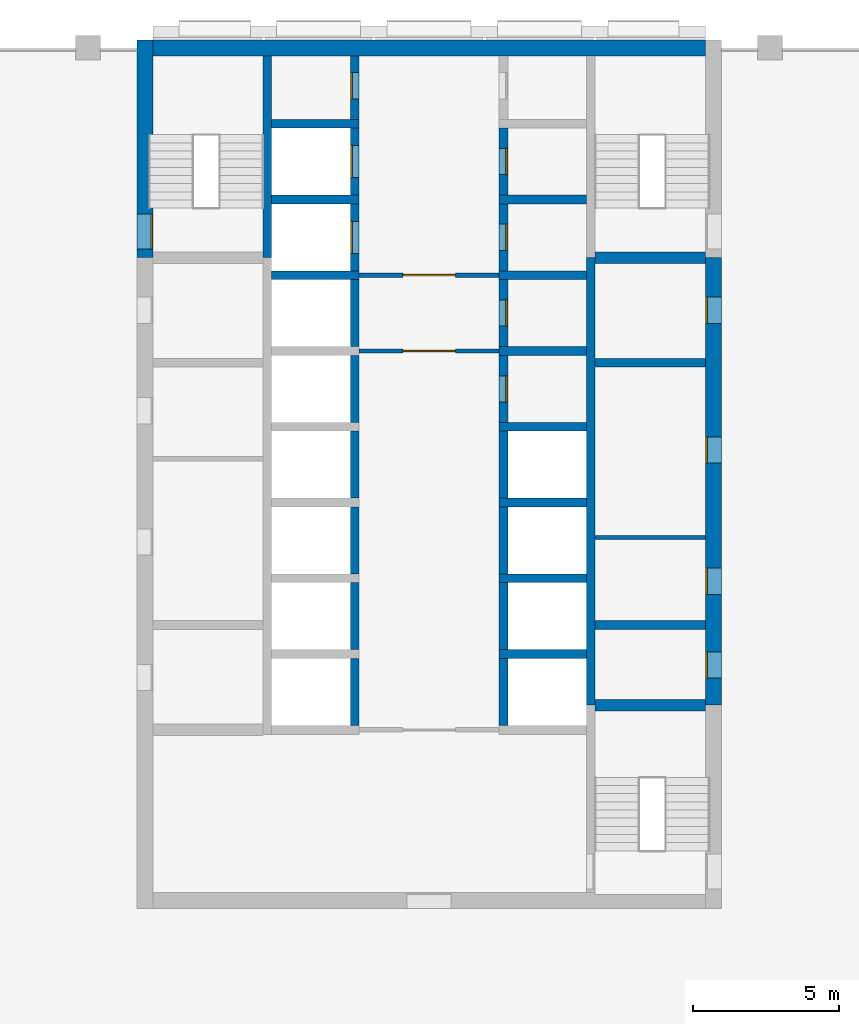
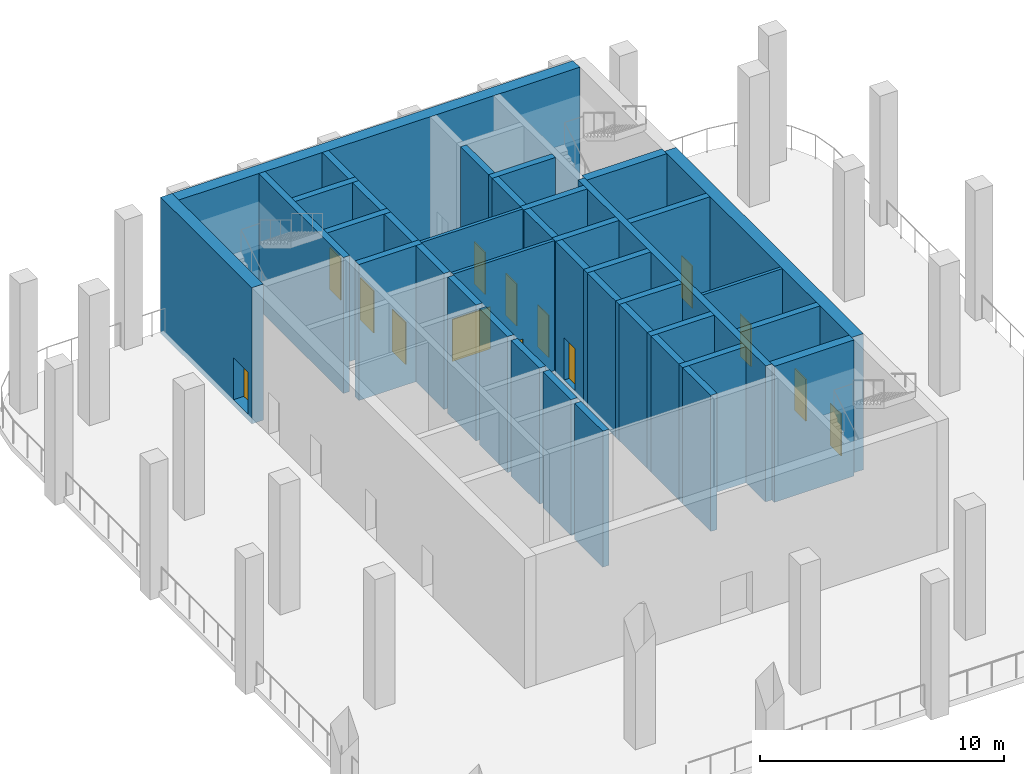
# One storey, part 2 of 10: 39 walls, 14 doors, 14 openings.
"""IFC4 building model written with IfcOpenShell, lengths in metres."""

from ifc_helpers import new_model, si_unit, direction, frame, frame_2d, origin, place, context, subcontext, project, spatial, rectangle, extrude, material, layer, layer_set, type_object, element, fill, save


model = new_model("IFC4")

# Units and contexts
model_context = context("Model", 3, precision=1e-05, world=origin(), true_north=direction((0.0, 1.0)))
body_context = subcontext(model_context, "Body", "Model", "MODEL_VIEW")
ifc_project = project(units=[si_unit("LENGTHUNIT", "METRE"), si_unit("AREAUNIT", "SQUARE_METRE"), si_unit("VOLUMEUNIT", "CUBIC_METRE"), si_unit("PLANEANGLEUNIT", "RADIAN"), si_unit("MASSUNIT", "GRAM", prefix="KILO")], contexts=[model_context])

# Site, building, storey
site_placement = place(None, origin())
site = spatial("IfcSite", under=ifc_project, at=site_placement, CompositionType="ELEMENT")
building_placement = place(site_placement, origin())
building = spatial("IfcBuilding", under=site, at=building_placement, Name="Ludao Terraces", CompositionType="ELEMENT")
storey_placement = place(building_placement, frame((0.0, 0.0, 116.89990234375)))
storey = spatial("IfcBuildingStorey", under=building, at=storey_placement, Name="L32", CompositionType="ELEMENT", Elevation=116.89990234375)

# Wall, opening, door
ifc_material_1 = material(Name="Concrete C60", Category="concrete")
ifc_layer_1 = layer(ifc_material_1, 0.550048828125)
ifc_layer_set_1 = layer_set([ifc_layer_1], Name="Core wall 550 C60")
wall_type_1 = type_object("IfcWallType", Name="Core wall 550 C60", PredefinedType="SOLIDWALL", material=ifc_layer_set_1)
wall_1_placement = place(storey_placement, frame((75.25, 77.300048828125, -0.2998046875), z_axis=(0.0, 0.0, 1.0), x_axis=(0.0, 1.0, 0.0)))
wall_1 = element("IfcWall", 1, at=wall_1_placement, inside=storey, type_object=wall_type_1, Name="Core wall L32 outer-W-S1", PredefinedType="SOLIDWALL", context=body_context, shape_type="SweptSolid", body=[
    extrude(rectangle(XDim=7.474853515625, YDim=0.550048828125, at=frame_2d((3.7373046875, 0.0))), origin(), (0.0, 0.0, 1.0), 6.7998046875),
])
opening_1_placement = place(wall_1_placement, frame((0.300048828125, 0.0, 0.300048828125)))
opening_1 = element("IfcOpeningElement", 2, at=opening_1_placement, cuts=wall_1, Name="Opening L32-019", PredefinedType="OPENING", context=body_context, shape_type="SweptSolid", body=[
    extrude(rectangle(XDim=1.199951171875, YDim=2.10009765625, at=frame_2d((0.60009765625, 1.050048828125))), frame((0.0, 0.28515625, 0.0), z_axis=(0.0, -1.0, 0.0), x_axis=(1.0, 0.0, 0.0)), (0.0, 0.0, 1.0), 0.570068359375),
])
ifc_material_2 = material(Name="Steel Q235", Category="steel")
door_type_1 = type_object("IfcDoorType", Name="INT Stair door 1200", OperationType="DOUBLE_DOOR_SINGLE_SWING", PredefinedType="DOOR", material=ifc_material_2)
door_1_placement = place(opening_1_placement, origin())
door_1 = element("IfcDoor", 3, at=door_1_placement, inside=storey, type_object=door_type_1, Name="DOOR 019", OperationType="DOUBLE_DOOR_SINGLE_SWING", OverallHeight=2.10009765625, OverallWidth=1.199951171875, PredefinedType="DOOR", context=body_context, shape_type="SweptSolid", body=[
    extrude(rectangle(XDim=1.199951171875, YDim=2.10009765625, at=frame_2d((0.60009765625, 1.050048828125))), frame((0.0, -0.2099609375, 0.0), z_axis=(0.0, -1.0, 0.0), x_axis=(1.0, 0.0, 0.0)), (0.0, 0.0, 1.0), 0.050048828125),
])
fill(opening_1, door_1)

# Wall, openings, doors
wall_2_placement = place(storey_placement, frame((94.75, 61.949951171875, -0.2998046875), z_axis=(0.0, 0.0, 1.0), x_axis=(0.0, 1.0, 0.0)))
wall_2 = element("IfcWall", 4, at=wall_2_placement, inside=storey, type_object=wall_type_1, Name="Core wall L32 outer-E", PredefinedType="SOLIDWALL", context=body_context, shape_type="SweptSolid", body=[
    extrude(rectangle(XDim=15.35009765625, YDim=0.550048828125, at=frame_2d((7.675048828125, 0.0))), origin(), (0.0, 0.0, 1.0), 6.7998046875),
])
opening_2_placement = place(wall_2_placement, frame((0.925048828125, 0.0, 0.300048828125)))
opening_2 = element("IfcOpeningElement", 5, at=opening_2_placement, cuts=wall_2, Name="Opening L32-006", PredefinedType="OPENING", context=body_context, shape_type="SweptSolid", body=[
    extrude(rectangle(XDim=0.89990234375, YDim=2.10009765625, at=frame_2d((0.449951171875, 1.050048828125))), frame((0.0, 0.28515625, 0.0), z_axis=(0.0, -1.0, 0.0), x_axis=(1.0, 0.0, 0.0)), (0.0, 0.0, 1.0), 0.570068359375),
])
opening_3_placement = place(wall_2_placement, frame((3.800048828125, 0.0, 0.300048828125)))
opening_3 = element("IfcOpeningElement", 6, at=opening_3_placement, cuts=wall_2, Name="Opening L32-007", PredefinedType="OPENING", context=body_context, shape_type="SweptSolid", body=[
    extrude(rectangle(XDim=0.89990234375, YDim=2.10009765625, at=frame_2d((0.449951171875, 1.050048828125))), frame((0.0, 0.28515625, 0.0), z_axis=(0.0, -1.0, 0.0), x_axis=(1.0, 0.0, 0.0)), (0.0, 0.0, 1.0), 0.570068359375),
])
opening_4_placement = place(wall_2_placement, frame((8.300048828125, 0.0, 0.300048828125)))
opening_4 = element("IfcOpeningElement", 7, at=opening_4_placement, cuts=wall_2, Name="Opening L32-009", PredefinedType="OPENING", context=body_context, shape_type="SweptSolid", body=[
    extrude(rectangle(XDim=0.89990234375, YDim=2.10009765625, at=frame_2d((0.449951171875, 1.050048828125))), frame((0.0, 0.28515625, 0.0), z_axis=(0.0, -1.0, 0.0), x_axis=(1.0, 0.0, 0.0)), (0.0, 0.0, 1.0), 0.570068359375),
])
opening_5_placement = place(wall_2_placement, frame((13.10009765625, 0.0, 0.300048828125)))
opening_5 = element("IfcOpeningElement", 8, at=opening_5_placement, cuts=wall_2, Name="Opening L32-015", PredefinedType="OPENING", context=body_context, shape_type="SweptSolid", body=[
    extrude(rectangle(XDim=0.89990234375, YDim=2.10009765625, at=frame_2d((0.449951171875, 1.050048828125))), frame((0.0, 0.28515625, 0.0), z_axis=(0.0, -1.0, 0.0), x_axis=(1.0, 0.0, 0.0)), (0.0, 0.0, 1.0), 0.570068359375),
])
door_type_2 = type_object("IfcDoorType", Name="INT Riser door 900", OperationType="SINGLE_SWING_LEFT", PredefinedType="DOOR", material=ifc_material_2)
door_2_placement = place(opening_2_placement, origin())
door_2 = element("IfcDoor", 9, at=door_2_placement, inside=storey, type_object=door_type_2, Name="DOOR 006", OperationType="SINGLE_SWING_LEFT", OverallHeight=2.10009765625, OverallWidth=0.89990234375, PredefinedType="DOOR", context=body_context, shape_type="SweptSolid", body=[
    extrude(rectangle(XDim=0.89990234375, YDim=2.10009765625, at=frame_2d((0.449951171875, 1.050048828125))), frame((0.0, 0.26025390625, 0.0), z_axis=(0.0, -1.0, 0.0), x_axis=(1.0, 0.0, 0.0)), (0.0, 0.0, 1.0), 0.050048828125),
])
fill(opening_2, door_2)
door_3_placement = place(opening_5_placement, origin())
door_3 = element("IfcDoor", 10, at=door_3_placement, inside=storey, type_object=door_type_2, Name="DOOR 015", OperationType="SINGLE_SWING_LEFT", OverallHeight=2.10009765625, OverallWidth=0.89990234375, PredefinedType="DOOR", context=body_context, shape_type="SweptSolid", body=[
    extrude(rectangle(XDim=0.89990234375, YDim=2.10009765625, at=frame_2d((0.449951171875, 1.050048828125))), frame((0.0, 0.26025390625, 0.0), z_axis=(0.0, -1.0, 0.0), x_axis=(1.0, 0.0, 0.0)), (0.0, 0.0, 1.0), 0.050048828125),
])
fill(opening_5, door_3)
ifc_material_3 = material(Name="Timber door leaf", Category="wood")
door_type_3 = type_object("IfcDoorType", Name="INT Room door 900", OperationType="SINGLE_SWING_LEFT", PredefinedType="DOOR", material=ifc_material_3)
door_4_placement = place(opening_3_placement, origin())
door_4 = element("IfcDoor", 11, at=door_4_placement, inside=storey, type_object=door_type_3, Name="DOOR 007", OperationType="SINGLE_SWING_LEFT", OverallHeight=2.10009765625, OverallWidth=0.89990234375, PredefinedType="DOOR", context=body_context, shape_type="SweptSolid", body=[
    extrude(rectangle(XDim=0.89990234375, YDim=2.10009765625, at=frame_2d((0.449951171875, 1.050048828125))), frame((0.0, 0.26025390625, 0.0), z_axis=(0.0, -1.0, 0.0), x_axis=(1.0, 0.0, 0.0)), (0.0, 0.0, 1.0), 0.050048828125),
])
fill(opening_3, door_4)
door_5_placement = place(opening_4_placement, origin())
door_5 = element("IfcDoor", 12, at=door_5_placement, inside=storey, type_object=door_type_3, Name="DOOR 009", OperationType="SINGLE_SWING_RIGHT", OverallHeight=2.10009765625, OverallWidth=0.89990234375, PredefinedType="DOOR", context=body_context, shape_type="SweptSolid", body=[
    extrude(rectangle(XDim=0.89990234375, YDim=2.10009765625, at=frame_2d((0.449951171875, 1.050048828125))), frame((0.0, 0.26025390625, 0.0), z_axis=(0.0, -1.0, 0.0), x_axis=(1.0, 0.0, 0.0)), (0.0, 0.0, 1.0), 0.050048828125),
])
fill(opening_4, door_5)

# Walls
wall_3_placement = place(storey_placement, frame((75.52490234375, 84.5, -0.2998046875), z_axis=(0.0, 0.0, 1.0), x_axis=(1.0, 0.0, 0.0)))
element("IfcWall", 13, at=wall_3_placement, inside=storey, type_object=wall_type_1, Name="Core wall L32 outer-N", PredefinedType="SOLIDWALL", context=body_context, shape_type="SweptSolid", body=[
    extrude(rectangle(XDim=18.9501953125, YDim=0.550048828125, at=frame_2d((9.47509765625, 0.0))), origin(), (0.0, 0.0, 1.0), 6.7998046875),
])
ifc_material_4 = material(Name="Fire-rated gypsum plasterboard", Category="gypsum")
ifc_layer_2 = layer(ifc_material_4, 0.012451171875, Category="gypsum")
ifc_material_5 = material(Name="Mineral wool")
ifc_layer_3 = layer(ifc_material_5, 0.10009765625, Name="insulation")
ifc_layer_4 = layer(ifc_material_2, 0.02490234375, Name="stud")
ifc_layer_5 = layer(ifc_material_4, 0.012451171875, Category="gypsum")
ifc_layer_set_2 = layer_set([ifc_layer_2, ifc_layer_3, ifc_layer_4, ifc_layer_5], Name="INT Core partition 150")
wall_type_2 = type_object("IfcWallType", Name="INT Core partition 150", PredefinedType="PARTITIONING", material=ifc_layer_set_2)
wall_4_placement = place(storey_placement, frame((90.7001953125, 67.699951171875, 0.0), z_axis=(0.0, 0.0, 1.0), x_axis=(1.0, 0.0, 0.0)))
element("IfcWall", 14, at=wall_4_placement, inside=storey, type_object=wall_type_2, Name="PW-L32-PW001", PredefinedType="PARTITIONING", context=body_context, shape_type="SweptSolid", body=[
    extrude(rectangle(XDim=3.77490234375, YDim=0.14990234375, at=frame_2d((1.887451171875, 0.0))), origin(), (0.0, 0.0, 1.0), 6.5),
])

# Wall, opening, door
wall_5_placement = place(storey_placement, frame((82.60009765625, 74.10009765625, 0.0), z_axis=(0.0, 0.0, 1.0), x_axis=(1.0, 0.0, 0.0)))
wall_5 = element("IfcWall", 15, at=wall_5_placement, inside=storey, type_object=wall_type_2, Name="PW-L32-PW003", PredefinedType="PARTITIONING", context=body_context, shape_type="SweptSolid", body=[
    extrude(rectangle(XDim=4.800048828125, YDim=0.14990234375, at=frame_2d((2.39990234375, 0.0))), origin(), (0.0, 0.0, 1.0), 6.5),
])
opening_6_placement = place(wall_5_placement, frame((1.5, 0.0, 0.0)))
opening_6 = element("IfcOpeningElement", 16, at=opening_6_placement, cuts=wall_5, Name="Opening L32-012", PredefinedType="OPENING", context=body_context, shape_type="SweptSolid", body=[
    extrude(rectangle(XDim=1.800048828125, YDim=2.10009765625, at=frame_2d((0.89990234375, 1.050048828125))), frame((0.0, 0.0849609375, 0.0), z_axis=(0.0, -1.0, 0.0), x_axis=(1.0, 0.0, 0.0)), (0.0, 0.0, 1.0), 0.169921875),
])
door_type_4 = type_object("IfcDoorType", Name="INT Fire lobby door 1800", OperationType="DOUBLE_DOOR_SINGLE_SWING", PredefinedType="DOOR", material=ifc_material_2)
door_6_placement = place(opening_6_placement, origin())
door_6 = element("IfcDoor", 17, at=door_6_placement, inside=storey, type_object=door_type_4, Name="DOOR 012", OperationType="DOUBLE_DOOR_SINGLE_SWING", OverallHeight=2.10009765625, OverallWidth=1.800048828125, PredefinedType="DOOR", context=body_context, shape_type="SweptSolid", body=[
    extrude(rectangle(XDim=1.800048828125, YDim=2.10009765625, at=frame_2d((0.89990234375, 1.050048828125))), frame((0.0, 0.02490234375, 0.0), z_axis=(0.0, -1.0, 0.0), x_axis=(1.0, 0.0, 0.0)), (0.0, 0.0, 1.0), 0.050048828125),
])
fill(opening_6, door_6)

wall_6_placement = place(storey_placement, frame((82.60009765625, 76.699951171875, 0.0), z_axis=(0.0, 0.0, 1.0), x_axis=(1.0, 0.0, 0.0)))
wall_6 = element("IfcWall", 18, at=wall_6_placement, inside=storey, type_object=wall_type_2, Name="PW-L32-PW004", PredefinedType="PARTITIONING", context=body_context, shape_type="SweptSolid", body=[
    extrude(rectangle(XDim=4.800048828125, YDim=0.14990234375, at=frame_2d((2.39990234375, 0.0))), origin(), (0.0, 0.0, 1.0), 6.5),
])
opening_7_placement = place(wall_6_placement, frame((1.5, 0.0, 0.0)))
opening_7 = element("IfcOpeningElement", 19, at=opening_7_placement, cuts=wall_6, Name="Opening L32-016", PredefinedType="OPENING", context=body_context, shape_type="SweptSolid", body=[
    extrude(rectangle(XDim=1.800048828125, YDim=2.10009765625, at=frame_2d((0.89990234375, 1.050048828125))), frame((0.0, 0.0849609375, 0.0), z_axis=(0.0, -1.0, 0.0), x_axis=(1.0, 0.0, 0.0)), (0.0, 0.0, 1.0), 0.169921875),
])
door_7_placement = place(opening_7_placement, origin())
door_7 = element("IfcDoor", 20, at=door_7_placement, inside=storey, type_object=door_type_4, Name="DOOR 016", OperationType="DOUBLE_DOOR_SINGLE_SWING", OverallHeight=2.10009765625, OverallWidth=1.800048828125, PredefinedType="DOOR", context=body_context, shape_type="SweptSolid", body=[
    extrude(rectangle(XDim=1.800048828125, YDim=2.10009765625, at=frame_2d((0.89990234375, 1.050048828125))), frame((0.0, 0.02490234375, 0.0), z_axis=(0.0, -1.0, 0.0), x_axis=(1.0, 0.0, 0.0)), (0.0, 0.0, 1.0), 0.050048828125),
])
fill(opening_7, door_7)

# Walls
ifc_material_6 = material(Name="Concrete C55", Category="concrete")
ifc_layer_6 = layer(ifc_material_6, 0.300048828125)
ifc_layer_set_3 = layer_set([ifc_layer_6], Name="Shaft wall 300 C55")
wall_type_3 = type_object("IfcWallType", Name="Shaft wall 300 C55", PredefinedType="SOLIDWALL", material=ifc_layer_set_3)
wall_7_placement = place(storey_placement, frame((79.449951171875, 77.300048828125, -0.2998046875), z_axis=(0.0, 0.0, 1.0), x_axis=(0.0, 1.0, 0.0)))
element("IfcWall", 21, at=wall_7_placement, inside=storey, type_object=wall_type_3, Name="Core wall L32 back-W-S1", PredefinedType="SOLIDWALL", context=body_context, shape_type="SweptSolid", body=[
    extrude(rectangle(XDim=6.925048828125, YDim=0.300048828125, at=frame_2d((3.46240234375, 0.0))), origin(), (0.0, 0.0, 1.0), 6.7998046875),
])
wall_8_placement = place(storey_placement, frame((90.550048828125, 61.949951171875, -0.2998046875), z_axis=(0.0, 0.0, 1.0), x_axis=(0.0, 1.0, 0.0)))
element("IfcWall", 22, at=wall_8_placement, inside=storey, type_object=wall_type_3, Name="Core wall L32 back-E", PredefinedType="SOLIDWALL", context=body_context, shape_type="SweptSolid", body=[
    extrude(rectangle(XDim=15.35009765625, YDim=0.300048828125, at=frame_2d((7.675048828125, 0.0))), origin(), (0.0, 0.0, 1.0), 6.7998046875),
])
wall_9_placement = place(storey_placement, frame((82.449951171875, 61.25, -0.2998046875), z_axis=(0.0, 0.0, 1.0), x_axis=(0.0, 1.0, 0.0)))
element("IfcWall", 23, at=wall_9_placement, inside=storey, type_object=wall_type_3, Name="Core wall L32 front-W1", PredefinedType="SOLIDWALL", context=body_context, shape_type="SweptSolid", body=[
    extrude(rectangle(XDim=2.300048828125, YDim=0.300048828125, at=frame_2d((1.14990234375, 0.0))), origin(), (0.0, 0.0, 1.0), 6.7998046875),
])
wall_10_placement = place(storey_placement, frame((82.449951171875, 63.85009765625, -0.2998046875), z_axis=(0.0, 0.0, 1.0), x_axis=(0.0, 1.0, 0.0)))
element("IfcWall", 24, at=wall_10_placement, inside=storey, type_object=wall_type_3, Name="Core wall L32 front-W2", PredefinedType="SOLIDWALL", context=body_context, shape_type="SweptSolid", body=[
    extrude(rectangle(XDim=2.2998046875, YDim=0.300048828125, at=frame_2d((1.14990234375, 0.0))), origin(), (0.0, 0.0, 1.0), 6.7998046875),
])
for number, where, z_axis, x_axis, name in (
    (25, (82.449951171875, 66.449951171875, -0.2998046875), (0.0, 0.0, 1.0), (0.0, 1.0, 0.0), "Core wall L32 front-W3"),
    (26, (82.449951171875, 69.050048828125, -0.2998046875), (0.0, 0.0, 1.0), (0.0, 1.0, 0.0), "Core wall L32 front-W4"),
    (27, (82.449951171875, 71.64990234375, -0.2998046875), (0.0, 0.0, 1.0), (0.0, 1.0, 0.0), "Core wall L32 front-W5"),
    (28, (82.449951171875, 74.25, -0.2998046875), (0.0, 0.0, 1.0), (0.0, 1.0, 0.0), "Core wall L32 front-W6"),
):
    element("IfcWall", number, at=place(storey_placement, frame(where, z_axis=z_axis, x_axis=x_axis)), inside=storey, type_object=wall_type_3, Name=name, PredefinedType="SOLIDWALL", context=body_context, shape_type="SweptSolid", body=[
        extrude(rectangle(XDim=2.300048828125, YDim=0.300048828125, at=frame_2d((1.14990234375, 0.0))), origin(), (0.0, 0.0, 1.0), 6.7998046875),
    ])
wall_11_placement = place(storey_placement, frame((79.60009765625, 76.699951171875, -0.2998046875), z_axis=(0.0, 0.0, 1.0), x_axis=(1.0, 0.0, 0.0)))
element("IfcWall", 29, at=wall_11_placement, inside=storey, type_object=wall_type_3, Name="Core wall L32 div-W7", PredefinedType="SOLIDWALL", context=body_context, shape_type="SweptSolid", body=[
    extrude(rectangle(XDim=3.0, YDim=0.300048828125, at=frame_2d((1.5, 0.0))), origin(), (0.0, 0.0, 1.0), 6.7998046875),
])

# Wall, opening, door
wall_12_placement = place(storey_placement, frame((82.449951171875, 76.85009765625, -0.2998046875), z_axis=(0.0, 0.0, 1.0), x_axis=(0.0, 1.0, 0.0)))
wall_12 = element("IfcWall", 30, at=wall_12_placement, inside=storey, type_object=wall_type_3, Name="Core wall L32 front-W7", PredefinedType="SOLIDWALL", context=body_context, shape_type="SweptSolid", body=[
    extrude(rectangle(XDim=2.2998046875, YDim=0.300048828125, at=frame_2d((1.14990234375, 0.0))), origin(), (0.0, 0.0, 1.0), 6.7998046875),
])
opening_8_placement = place(wall_12_placement, frame((0.60009765625, 0.0, 0.300048828125)))
opening_8 = element("IfcOpeningElement", 31, at=opening_8_placement, cuts=wall_12, Name="Opening LD-FF1", PredefinedType="OPENING", context=body_context, shape_type="SweptSolid", body=[
    extrude(rectangle(XDim=1.10009765625, YDim=2.10009765625, at=frame_2d((0.550048828125, 1.050048828125))), frame((0.0, 0.16015625, 0.0), z_axis=(0.0, -1.0, 0.0), x_axis=(1.0, 0.0, 0.0)), (0.0, 0.0, 1.0), 0.320068359375),
])
ifc_material_7 = material(Name="Stainless steel 304", Category="steel")
door_type_5 = type_object("IfcDoorType", Name="INT Lift landing door 1100", OperationType="SLIDING_TO_LEFT", PredefinedType="DOOR", material=ifc_material_7)
door_8_placement = place(opening_8_placement, origin())
door_8 = element("IfcDoor", 32, at=door_8_placement, inside=storey, type_object=door_type_5, Name="LANDING DOOR FF1 L32", OperationType="SLIDING_TO_LEFT", OverallHeight=2.10009765625, OverallWidth=1.10009765625, PredefinedType="DOOR", context=body_context, shape_type="SweptSolid", body=[
    extrude(rectangle(XDim=1.10009765625, YDim=2.10009765625, at=frame_2d((0.550048828125, 1.050048828125))), frame((0.0, 0.13525390625, 0.0), z_axis=(0.0, -1.0, 0.0), x_axis=(1.0, 0.0, 0.0)), (0.0, 0.0, 1.0), 0.050048828125),
])
fill(opening_8, door_8)

# Wall
wall_13_placement = place(storey_placement, frame((79.60009765625, 79.300048828125, -0.2998046875), z_axis=(0.0, 0.0, 1.0), x_axis=(1.0, 0.0, 0.0)))
element("IfcWall", 33, at=wall_13_placement, inside=storey, type_object=wall_type_3, Name="Core wall L32 div-W8", PredefinedType="SOLIDWALL", context=body_context, shape_type="SweptSolid", body=[
    extrude(rectangle(XDim=3.0, YDim=0.300048828125, at=frame_2d((1.5, 0.0))), origin(), (0.0, 0.0, 1.0), 6.7998046875),
])

# Wall, opening, door
wall_14_placement = place(storey_placement, frame((82.449951171875, 79.449951171875, -0.2998046875), z_axis=(0.0, 0.0, 1.0), x_axis=(0.0, 1.0, 0.0)))
wall_14 = element("IfcWall", 34, at=wall_14_placement, inside=storey, type_object=wall_type_3, Name="Core wall L32 front-W8", PredefinedType="SOLIDWALL", context=body_context, shape_type="SweptSolid", body=[
    extrude(rectangle(XDim=2.300048828125, YDim=0.300048828125, at=frame_2d((1.14990234375, 0.0))), origin(), (0.0, 0.0, 1.0), 6.7998046875),
])
opening_9_placement = place(wall_14_placement, frame((0.60009765625, 0.0, 0.300048828125)))
opening_9 = element("IfcOpeningElement", 35, at=opening_9_placement, cuts=wall_14, Name="Opening LD-FF2", PredefinedType="OPENING", context=body_context, shape_type="SweptSolid", body=[
    extrude(rectangle(XDim=1.10009765625, YDim=2.10009765625, at=frame_2d((0.550048828125, 1.050048828125))), frame((0.0, 0.16015625, 0.0), z_axis=(0.0, -1.0, 0.0), x_axis=(1.0, 0.0, 0.0)), (0.0, 0.0, 1.0), 0.320068359375),
])
door_9_placement = place(opening_9_placement, origin())
door_9 = element("IfcDoor", 36, at=door_9_placement, inside=storey, type_object=door_type_5, Name="LANDING DOOR FF2 L32", OperationType="SLIDING_TO_LEFT", OverallHeight=2.10009765625, OverallWidth=1.10009765625, PredefinedType="DOOR", context=body_context, shape_type="SweptSolid", body=[
    extrude(rectangle(XDim=1.10009765625, YDim=2.10009765625, at=frame_2d((0.550048828125, 1.050048828125))), frame((0.0, 0.13525390625, 0.0), z_axis=(0.0, -1.0, 0.0), x_axis=(1.0, 0.0, 0.0)), (0.0, 0.0, 1.0), 0.050048828125),
])
fill(opening_9, door_9)

# Wall
wall_15_placement = place(storey_placement, frame((79.60009765625, 81.89990234375, -0.2998046875), z_axis=(0.0, 0.0, 1.0), x_axis=(1.0, 0.0, 0.0)))
element("IfcWall", 37, at=wall_15_placement, inside=storey, type_object=wall_type_3, Name="Core wall L32 div-W9", PredefinedType="SOLIDWALL", context=body_context, shape_type="SweptSolid", body=[
    extrude(rectangle(XDim=3.0, YDim=0.300048828125, at=frame_2d((1.5, 0.0))), origin(), (0.0, 0.0, 1.0), 6.7998046875),
])

# Wall, opening, door
wall_16_placement = place(storey_placement, frame((82.449951171875, 82.050048828125, -0.2998046875), z_axis=(0.0, 0.0, 1.0), x_axis=(0.0, 1.0, 0.0)))
wall_16 = element("IfcWall", 38, at=wall_16_placement, inside=storey, type_object=wall_type_3, Name="Core wall L32 front-W9", PredefinedType="SOLIDWALL", context=body_context, shape_type="SweptSolid", body=[
    extrude(rectangle(XDim=2.175048828125, YDim=0.300048828125, at=frame_2d((1.08740234375, 0.0))), origin(), (0.0, 0.0, 1.0), 6.7998046875),
])
opening_10_placement = place(wall_16_placement, frame((0.699951171875, 0.0, 0.300048828125)))
opening_10 = element("IfcOpeningElement", 39, at=opening_10_placement, cuts=wall_16, Name="Opening L32-023", PredefinedType="OPENING", context=body_context, shape_type="SweptSolid", body=[
    extrude(rectangle(XDim=0.89990234375, YDim=2.10009765625, at=frame_2d((0.449951171875, 1.050048828125))), frame((0.0, 0.16015625, 0.0), z_axis=(0.0, -1.0, 0.0), x_axis=(1.0, 0.0, 0.0)), (0.0, 0.0, 1.0), 0.320068359375),
])
door_10_placement = place(opening_10_placement, origin())
door_10 = element("IfcDoor", 40, at=door_10_placement, inside=storey, type_object=door_type_3, Name="DOOR 023", OperationType="SINGLE_SWING_RIGHT", OverallHeight=2.10009765625, OverallWidth=0.89990234375, PredefinedType="DOOR", context=body_context, shape_type="SweptSolid", body=[
    extrude(rectangle(XDim=0.89990234375, YDim=2.10009765625, at=frame_2d((0.449951171875, 1.050048828125))), frame((0.0, 0.13525390625, 0.0), z_axis=(0.0, -1.0, 0.0), x_axis=(1.0, 0.0, 0.0)), (0.0, 0.0, 1.0), 0.050048828125),
])
fill(opening_10, door_10)

# Walls
wall_17_placement = place(storey_placement, frame((87.550048828125, 61.25, -0.2998046875), z_axis=(0.0, 0.0, 1.0), x_axis=(0.0, 1.0, 0.0)))
element("IfcWall", 41, at=wall_17_placement, inside=storey, type_object=wall_type_3, Name="Core wall L32 front-E1", PredefinedType="SOLIDWALL", context=body_context, shape_type="SweptSolid", body=[
    extrude(rectangle(XDim=2.300048828125, YDim=0.300048828125, at=frame_2d((1.14990234375, 0.0))), origin(), (0.0, 0.0, 1.0), 6.7998046875),
])
wall_18_placement = place(storey_placement, frame((87.39990234375, 63.699951171875, -0.2998046875), z_axis=(0.0, 0.0, 1.0), x_axis=(1.0, 0.0, 0.0)))
element("IfcWall", 42, at=wall_18_placement, inside=storey, type_object=wall_type_3, Name="Core wall L32 div-E2", PredefinedType="SOLIDWALL", context=body_context, shape_type="SweptSolid", body=[
    extrude(rectangle(XDim=3.0, YDim=0.300048828125, at=frame_2d((1.5, 0.0))), origin(), (0.0, 0.0, 1.0), 6.7998046875),
])
wall_19_placement = place(storey_placement, frame((87.550048828125, 63.85009765625, -0.2998046875), z_axis=(0.0, 0.0, 1.0), x_axis=(0.0, 1.0, 0.0)))
element("IfcWall", 43, at=wall_19_placement, inside=storey, type_object=wall_type_3, Name="Core wall L32 front-E2", PredefinedType="SOLIDWALL", context=body_context, shape_type="SweptSolid", body=[
    extrude(rectangle(XDim=2.2998046875, YDim=0.300048828125, at=frame_2d((1.14990234375, 0.0))), origin(), (0.0, 0.0, 1.0), 6.7998046875),
])
wall_20_placement = place(storey_placement, frame((87.39990234375, 66.300048828125, -0.2998046875), z_axis=(0.0, 0.0, 1.0), x_axis=(1.0, 0.0, 0.0)))
element("IfcWall", 44, at=wall_20_placement, inside=storey, type_object=wall_type_3, Name="Core wall L32 div-E3", PredefinedType="SOLIDWALL", context=body_context, shape_type="SweptSolid", body=[
    extrude(rectangle(XDim=3.0, YDim=0.300048828125, at=frame_2d((1.5, 0.0))), origin(), (0.0, 0.0, 1.0), 6.7998046875),
])
wall_21_placement = place(storey_placement, frame((87.550048828125, 66.449951171875, -0.2998046875), z_axis=(0.0, 0.0, 1.0), x_axis=(0.0, 1.0, 0.0)))
element("IfcWall", 45, at=wall_21_placement, inside=storey, type_object=wall_type_3, Name="Core wall L32 front-E3", PredefinedType="SOLIDWALL", context=body_context, shape_type="SweptSolid", body=[
    extrude(rectangle(XDim=2.300048828125, YDim=0.300048828125, at=frame_2d((1.14990234375, 0.0))), origin(), (0.0, 0.0, 1.0), 6.7998046875),
])
wall_22_placement = place(storey_placement, frame((87.39990234375, 68.89990234375, -0.2998046875), z_axis=(0.0, 0.0, 1.0), x_axis=(1.0, 0.0, 0.0)))
element("IfcWall", 46, at=wall_22_placement, inside=storey, type_object=wall_type_3, Name="Core wall L32 div-E4", PredefinedType="SOLIDWALL", context=body_context, shape_type="SweptSolid", body=[
    extrude(rectangle(XDim=3.0, YDim=0.300048828125, at=frame_2d((1.5, 0.0))), origin(), (0.0, 0.0, 1.0), 6.7998046875),
])
wall_23_placement = place(storey_placement, frame((87.550048828125, 69.050048828125, -0.2998046875), z_axis=(0.0, 0.0, 1.0), x_axis=(0.0, 1.0, 0.0)))
element("IfcWall", 47, at=wall_23_placement, inside=storey, type_object=wall_type_3, Name="Core wall L32 front-E4", PredefinedType="SOLIDWALL", context=body_context, shape_type="SweptSolid", body=[
    extrude(rectangle(XDim=2.300048828125, YDim=0.300048828125, at=frame_2d((1.14990234375, 0.0))), origin(), (0.0, 0.0, 1.0), 6.7998046875),
])
wall_24_placement = place(storey_placement, frame((87.39990234375, 71.5, -0.2998046875), z_axis=(0.0, 0.0, 1.0), x_axis=(1.0, 0.0, 0.0)))
element("IfcWall", 48, at=wall_24_placement, inside=storey, type_object=wall_type_3, Name="Core wall L32 div-E5", PredefinedType="SOLIDWALL", context=body_context, shape_type="SweptSolid", body=[
    extrude(rectangle(XDim=3.0, YDim=0.300048828125, at=frame_2d((1.5, 0.0))), origin(), (0.0, 0.0, 1.0), 6.7998046875),
])

# Wall, opening, door
wall_25_placement = place(storey_placement, frame((87.550048828125, 71.64990234375, -0.2998046875), z_axis=(0.0, 0.0, 1.0), x_axis=(0.0, 1.0, 0.0)))
wall_25 = element("IfcWall", 49, at=wall_25_placement, inside=storey, type_object=wall_type_3, Name="Core wall L32 front-E5", PredefinedType="SOLIDWALL", context=body_context, shape_type="SweptSolid", body=[
    extrude(rectangle(XDim=2.300048828125, YDim=0.300048828125, at=frame_2d((1.14990234375, 0.0))), origin(), (0.0, 0.0, 1.0), 6.7998046875),
])
opening_11_placement = place(wall_25_placement, frame((0.699951171875, 0.0, 0.300048828125)))
opening_11 = element("IfcOpeningElement", 50, at=opening_11_placement, cuts=wall_25, Name="Opening L32-011", PredefinedType="OPENING", context=body_context, shape_type="SweptSolid", body=[
    extrude(rectangle(XDim=0.89990234375, YDim=2.10009765625, at=frame_2d((0.449951171875, 1.050048828125))), frame((0.0, 0.16015625, 0.0), z_axis=(0.0, -1.0, 0.0), x_axis=(1.0, 0.0, 0.0)), (0.0, 0.0, 1.0), 0.320068359375),
])
door_11_placement = place(opening_11_placement, origin())
door_11 = element("IfcDoor", 51, at=door_11_placement, inside=storey, type_object=door_type_3, Name="DOOR 011", OperationType="SINGLE_SWING_RIGHT", OverallHeight=2.10009765625, OverallWidth=0.89990234375, PredefinedType="DOOR", context=body_context, shape_type="SweptSolid", body=[
    extrude(rectangle(XDim=0.89990234375, YDim=2.10009765625, at=frame_2d((0.449951171875, 1.050048828125))), frame((0.0, -0.0849609375, 0.0), z_axis=(0.0, -1.0, 0.0), x_axis=(1.0, 0.0, 0.0)), (0.0, 0.0, 1.0), 0.050048828125),
])
fill(opening_11, door_11)

# Wall
wall_26_placement = place(storey_placement, frame((87.39990234375, 74.10009765625, -0.2998046875), z_axis=(0.0, 0.0, 1.0), x_axis=(1.0, 0.0, 0.0)))
element("IfcWall", 52, at=wall_26_placement, inside=storey, type_object=wall_type_3, Name="Core wall L32 div-E6", PredefinedType="SOLIDWALL", context=body_context, shape_type="SweptSolid", body=[
    extrude(rectangle(XDim=3.0, YDim=0.300048828125, at=frame_2d((1.5, 0.0))), origin(), (0.0, 0.0, 1.0), 6.7998046875),
])

# Wall, opening, door
wall_27_placement = place(storey_placement, frame((87.550048828125, 74.25, -0.2998046875), z_axis=(0.0, 0.0, 1.0), x_axis=(0.0, 1.0, 0.0)))
wall_27 = element("IfcWall", 53, at=wall_27_placement, inside=storey, type_object=wall_type_3, Name="Core wall L32 front-E6", PredefinedType="SOLIDWALL", context=body_context, shape_type="SweptSolid", body=[
    extrude(rectangle(XDim=2.300048828125, YDim=0.300048828125, at=frame_2d((1.14990234375, 0.0))), origin(), (0.0, 0.0, 1.0), 6.7998046875),
])
opening_12_placement = place(wall_27_placement, frame((0.699951171875, 0.0, 0.300048828125)))
opening_12 = element("IfcOpeningElement", 54, at=opening_12_placement, cuts=wall_27, Name="Opening L32-013", PredefinedType="OPENING", context=body_context, shape_type="SweptSolid", body=[
    extrude(rectangle(XDim=0.89990234375, YDim=2.10009765625, at=frame_2d((0.449951171875, 1.050048828125))), frame((0.0, 0.16015625, 0.0), z_axis=(0.0, -1.0, 0.0), x_axis=(1.0, 0.0, 0.0)), (0.0, 0.0, 1.0), 0.320068359375),
])
door_12_placement = place(opening_12_placement, origin())
door_12 = element("IfcDoor", 55, at=door_12_placement, inside=storey, type_object=door_type_3, Name="DOOR 013", OperationType="SINGLE_SWING_RIGHT", OverallHeight=2.10009765625, OverallWidth=0.89990234375, PredefinedType="DOOR", context=body_context, shape_type="SweptSolid", body=[
    extrude(rectangle(XDim=0.89990234375, YDim=2.10009765625, at=frame_2d((0.449951171875, 1.050048828125))), frame((0.0, -0.0849609375, 0.0), z_axis=(0.0, -1.0, 0.0), x_axis=(1.0, 0.0, 0.0)), (0.0, 0.0, 1.0), 0.050048828125),
])
fill(opening_12, door_12)

# Wall
wall_28_placement = place(storey_placement, frame((87.39990234375, 76.699951171875, -0.2998046875), z_axis=(0.0, 0.0, 1.0), x_axis=(1.0, 0.0, 0.0)))
element("IfcWall", 56, at=wall_28_placement, inside=storey, type_object=wall_type_3, Name="Core wall L32 div-E7", PredefinedType="SOLIDWALL", context=body_context, shape_type="SweptSolid", body=[
    extrude(rectangle(XDim=3.0, YDim=0.300048828125, at=frame_2d((1.5, 0.0))), origin(), (0.0, 0.0, 1.0), 6.7998046875),
])

# Wall, opening, door
wall_29_placement = place(storey_placement, frame((87.550048828125, 76.85009765625, -0.2998046875), z_axis=(0.0, 0.0, 1.0), x_axis=(0.0, 1.0, 0.0)))
wall_29 = element("IfcWall", 57, at=wall_29_placement, inside=storey, type_object=wall_type_3, Name="Core wall L32 front-E7", PredefinedType="SOLIDWALL", context=body_context, shape_type="SweptSolid", body=[
    extrude(rectangle(XDim=2.2998046875, YDim=0.300048828125, at=frame_2d((1.14990234375, 0.0))), origin(), (0.0, 0.0, 1.0), 6.7998046875),
])
opening_13_placement = place(wall_29_placement, frame((0.699951171875, 0.0, 0.300048828125)))
opening_13 = element("IfcOpeningElement", 58, at=opening_13_placement, cuts=wall_29, Name="Opening L32-018", PredefinedType="OPENING", context=body_context, shape_type="SweptSolid", body=[
    extrude(rectangle(XDim=0.89990234375, YDim=2.10009765625, at=frame_2d((0.449951171875, 1.050048828125))), frame((0.0, 0.16015625, 0.0), z_axis=(0.0, -1.0, 0.0), x_axis=(1.0, 0.0, 0.0)), (0.0, 0.0, 1.0), 0.320068359375),
])
door_13_placement = place(opening_13_placement, origin())
door_13 = element("IfcDoor", 59, at=door_13_placement, inside=storey, type_object=door_type_3, Name="DOOR 018", OperationType="SINGLE_SWING_RIGHT", OverallHeight=2.10009765625, OverallWidth=0.89990234375, PredefinedType="DOOR", context=body_context, shape_type="SweptSolid", body=[
    extrude(rectangle(XDim=0.89990234375, YDim=2.10009765625, at=frame_2d((0.449951171875, 1.050048828125))), frame((0.0, -0.0849609375, 0.0), z_axis=(0.0, -1.0, 0.0), x_axis=(1.0, 0.0, 0.0)), (0.0, 0.0, 1.0), 0.050048828125),
])
fill(opening_13, door_13)

# Wall
wall_30_placement = place(storey_placement, frame((87.39990234375, 79.300048828125, -0.2998046875), z_axis=(0.0, 0.0, 1.0), x_axis=(1.0, 0.0, 0.0)))
element("IfcWall", 60, at=wall_30_placement, inside=storey, type_object=wall_type_3, Name="Core wall L32 div-E8", PredefinedType="SOLIDWALL", context=body_context, shape_type="SweptSolid", body=[
    extrude(rectangle(XDim=3.0, YDim=0.300048828125, at=frame_2d((1.5, 0.0))), origin(), (0.0, 0.0, 1.0), 6.7998046875),
])

# Wall, opening, door
wall_31_placement = place(storey_placement, frame((87.550048828125, 79.449951171875, -0.2998046875), z_axis=(0.0, 0.0, 1.0), x_axis=(0.0, 1.0, 0.0)))
wall_31 = element("IfcWall", 61, at=wall_31_placement, inside=storey, type_object=wall_type_3, Name="Core wall L32 front-E8", PredefinedType="SOLIDWALL", context=body_context, shape_type="SweptSolid", body=[
    extrude(rectangle(XDim=2.300048828125, YDim=0.300048828125, at=frame_2d((1.14990234375, 0.0))), origin(), (0.0, 0.0, 1.0), 6.7998046875),
])
opening_14_placement = place(wall_31_placement, frame((0.699951171875, 0.0, 0.300048828125)))
opening_14 = element("IfcOpeningElement", 62, at=opening_14_placement, cuts=wall_31, Name="Opening L32-022", PredefinedType="OPENING", context=body_context, shape_type="SweptSolid", body=[
    extrude(rectangle(XDim=0.89990234375, YDim=2.10009765625, at=frame_2d((0.449951171875, 1.050048828125))), frame((0.0, 0.16015625, 0.0), z_axis=(0.0, -1.0, 0.0), x_axis=(1.0, 0.0, 0.0)), (0.0, 0.0, 1.0), 0.320068359375),
])
door_14_placement = place(opening_14_placement, origin())
door_14 = element("IfcDoor", 63, at=door_14_placement, inside=storey, type_object=door_type_3, Name="DOOR 022", OperationType="SINGLE_SWING_LEFT", OverallHeight=2.10009765625, OverallWidth=0.89990234375, PredefinedType="DOOR", context=body_context, shape_type="SweptSolid", body=[
    extrude(rectangle(XDim=0.89990234375, YDim=2.10009765625, at=frame_2d((0.449951171875, 1.050048828125))), frame((0.0, -0.0849609375, 0.0), z_axis=(0.0, -1.0, 0.0), x_axis=(1.0, 0.0, 0.0)), (0.0, 0.0, 1.0), 0.050048828125),
])
fill(opening_14, door_14)

# Walls
for number, where, z_axis, x_axis, name in (
    (64, (90.699951171875, 64.699951171875, -0.2998046875), (0.0, 0.0, 1.0), (1.0, 0.0, 0.0), "Core wall L32 riser-a-E"),
    (65, (90.699951171875, 73.699951171875, -0.2998046875), (0.0, 0.0, 1.0), (1.0, 0.0, 0.0), "Core wall L32 riser-b-E"),
):
    element("IfcWall", number, at=place(storey_placement, frame(where, z_axis=z_axis, x_axis=x_axis)), inside=storey, type_object=wall_type_3, Name=name, PredefinedType="SOLIDWALL", context=body_context, shape_type="SweptSolid", body=[
        extrude(rectangle(XDim=3.775146484375, YDim=0.300048828125, at=frame_2d((1.8876953125, 0.0))), origin(), (0.0, 0.0, 1.0), 6.7998046875),
    ])
ifc_layer_7 = layer(ifc_material_6, 0.39990234375)
ifc_layer_set_4 = layer_set([ifc_layer_7], Name="Shaft wall 400 C55")
wall_type_4 = type_object("IfcWallType", Name="Shaft wall 400 C55", PredefinedType="SOLIDWALL", material=ifc_layer_set_4)
for number, where, z_axis, x_axis, name in (
    (66, (90.699951171875, 61.949951171875, -0.2998046875), (0.0, 0.0, 1.0), (1.0, 0.0, 0.0), "Core wall L32 hall-E"),
    (67, (90.699951171875, 77.300048828125, -0.2998046875), (0.0, 0.0, 1.0), (1.0, 0.0, 0.0), "Core wall L32 stair-E"),
):
    element("IfcWall", number, at=place(storey_placement, frame(where, z_axis=z_axis, x_axis=x_axis)), inside=storey, type_object=wall_type_4, Name=name, PredefinedType="SOLIDWALL", context=body_context, shape_type="SweptSolid", body=[
        extrude(rectangle(XDim=3.775146484375, YDim=0.39990234375, at=frame_2d((1.8876953125, 0.0))), origin(), (0.0, 0.0, 1.0), 6.7998046875),
    ])

save(model, "model.ifc")
